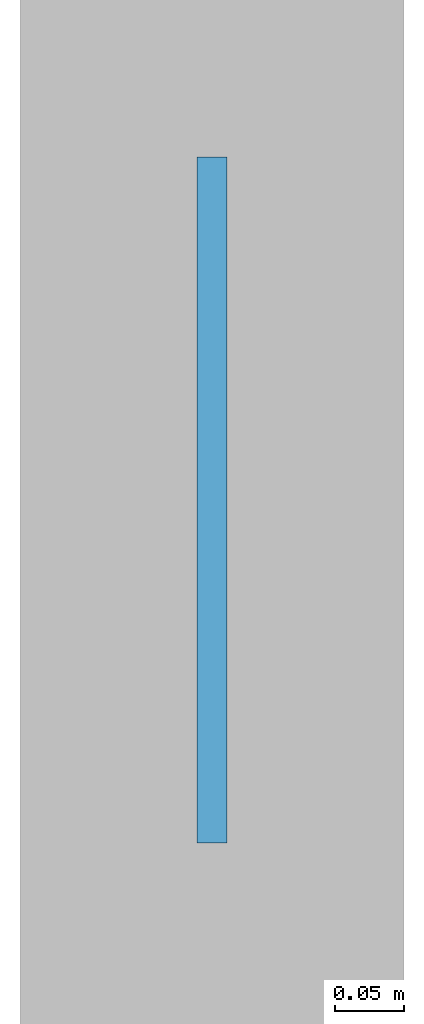
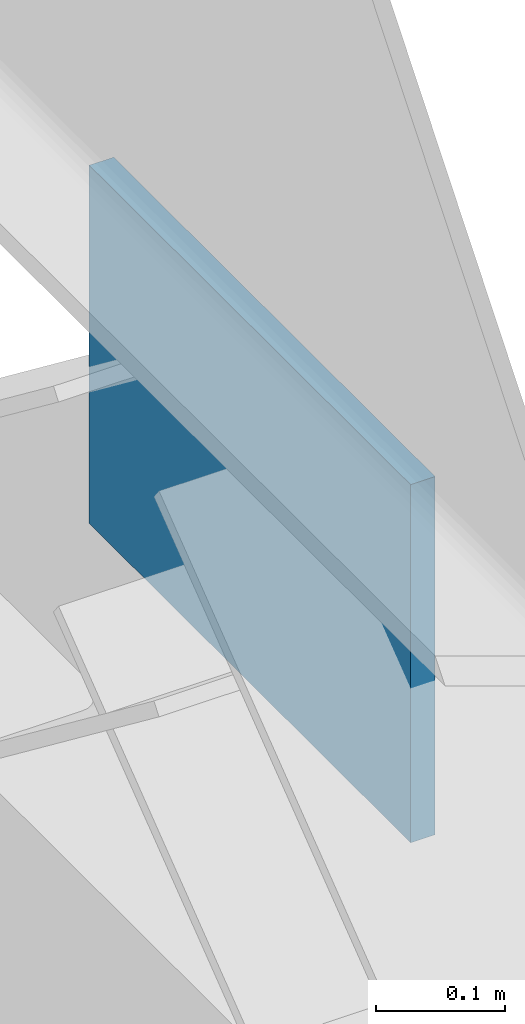
# One storey, part 56 of 82: 1 plate.
"""IFC4 building model written with IfcOpenShell, lengths in metres."""

from ifc_helpers import new_model, si_unit, direction, frame, origin, origin_2d, place, context, subcontext, project, spatial, rectangle, extrude, material, layer, layer_set, type_object, element, save


model = new_model("IFC4")

# Units and contexts
model_context = context("Model", 3, precision=1e-05, world=origin(), true_north=direction((0.0, 1.0)))
body_context = subcontext(model_context, "Body", "Model", "MODEL_VIEW")
ifc_project = project(units=[si_unit("LENGTHUNIT", "METRE"), si_unit("AREAUNIT", "SQUARE_METRE"), si_unit("VOLUMEUNIT", "CUBIC_METRE"), si_unit("PLANEANGLEUNIT", "RADIAN"), si_unit("MASSUNIT", "GRAM", prefix="KILO")], contexts=[model_context])

# Site, building, storey
site_placement = place(None, origin())
site = spatial("IfcSite", under=ifc_project, at=site_placement, CompositionType="ELEMENT")
building_placement = place(site_placement, origin())
building = spatial("IfcBuilding", under=site, at=building_placement, Name="Qasida Concert Hall", CompositionType="ELEMENT")
storey_placement = place(building_placement, frame((0.0, 0.0, 17.10009765625)))
storey = spatial("IfcBuildingStorey", under=building, at=storey_placement, Name="L04", CompositionType="ELEMENT", Elevation=17.10009765625)

# Plate
ifc_material = material(Name="Steel S355J2", Category="steel")
ifc_layer = layer(ifc_material, 0.02197265625, Name="Steel S355J2")
ifc_layer_set = layer_set([ifc_layer], Name="Steel S355J2")
plate_type = type_object("IfcPlateType", Name="PLT-PL-EC5", PredefinedType="SHEET", material=ifc_layer_set)
plate_placement = place(storey_placement, frame((52.5, 71.25, 2.69970703125), z_axis=(0.0, 0.0, 1.0), x_axis=(0.0, 1.0, 0.0)))
element("IfcPlate", 1, at=plate_placement, inside=storey, type_object=plate_type, Name="Chevron apex plate CBF-0075", PredefinedType="SHEET", context=body_context, shape_type="SweptSolid", body=[
    extrude(rectangle(XDim=0.5, YDim=0.02197265625, at=origin_2d()), origin(), (0.0, 0.0, 1.0), 0.340087890625),
])

save(model, "model.ifc")
